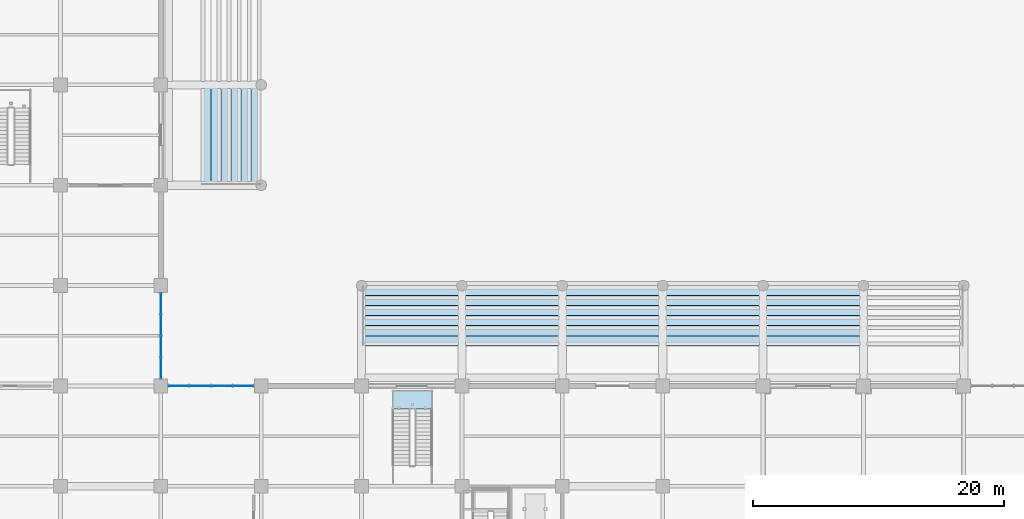
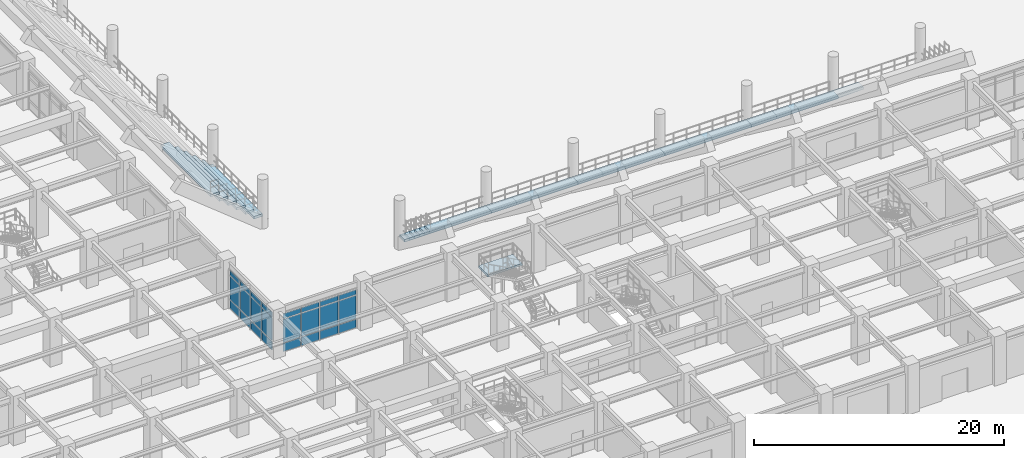
# One storey, part 59 of 125: 37 slabs, 24 plates, 3 elements without a shape of their own.
"""IFC4 building model written with IfcOpenShell, lengths in metres."""

from ifc_helpers import new_model, si_unit, direction, frame, origin, origin_2d, place, context, subcontext, project, spatial, polyline, rectangle, outline, extrude, material, layer, layer_set, type_object, element, aggregate, save


model = new_model("IFC4")

# Units and contexts
model_context = context("Model", 3, precision=1e-05, world=origin(), true_north=direction((0.0, 1.0)))
body_context = subcontext(model_context, "Body", "Model", "MODEL_VIEW")
ifc_project = project(units=[si_unit("LENGTHUNIT", "METRE"), si_unit("AREAUNIT", "SQUARE_METRE"), si_unit("VOLUMEUNIT", "CUBIC_METRE"), si_unit("PLANEANGLEUNIT", "RADIAN"), si_unit("MASSUNIT", "GRAM", prefix="KILO")], contexts=[model_context])

# Site, building, storey
site_placement = place(None, origin())
site = spatial("IfcSite", under=ifc_project, at=site_placement, CompositionType="ELEMENT")
building_placement = place(site_placement, origin())
building = spatial("IfcBuilding", under=site, at=building_placement, Name="Haebicheon Civic Stadium", CompositionType="ELEMENT")
storey_placement = place(building_placement, origin())
storey = spatial("IfcBuildingStorey", under=building, at=storey_placement, Name="L01", CompositionType="ELEMENT", Elevation=0.0)

# Curtain wall, plates
ifc_material_1 = material(Name="Anodised aluminium and laminated glass", Category="aluminium")
ifc_layer_1 = layer(ifc_material_1, 0.179931640625, Name="Anodised aluminium and laminated glass")
ifc_layer_set_1 = layer_set([ifc_layer_1], Name="Anodised aluminium and laminated glass")
curtain_wall_type = type_object("IfcCurtainWallType", Name="CW-6900x3770", PredefinedType="NOTDEFINED", material=ifc_layer_set_1)
curtain_wall_1_placement = place(storey_placement, origin())
curtain_wall_1 = element("IfcCurtainWall", 1, at=curtain_wall_1_placement, inside=storey, type_object=curtain_wall_type, material=ifc_layer_set_1, Name="L01 unitised curtain wall 005", PredefinedType="NOTDEFINED")
ifc_material_2 = material(Name="Double low-e laminated glass", Category="glass")
ifc_layer_2 = layer(ifc_material_2, 0.028076171875, Name="Double low-e laminated glass")
ifc_layer_set_2 = layer_set([ifc_layer_2], Name="Double low-e laminated glass")
plate_type_1 = type_object("IfcPlateType", Name="CWP-GLZ-28", PredefinedType="CURTAIN_PANEL", material=ifc_layer_set_2)
plate_1_placement = place(storey_placement, frame((64.0, 33.431884765625, 0.93994140625), z_axis=(0.0, 0.0, 1.0), x_axis=(0.0, 1.0, 0.0)))
plate_1 = element("IfcPlate", 2, at=plate_1_placement, type_object=plate_type_1, material=ifc_layer_set_2, Name="CW-L01-005 vision panel 1.2", PredefinedType="CURTAIN_PANEL", context=body_context, shape_type="SweptSolid", body=[
    extrude(rectangle(XDim=1.60498046875, YDim=0.028076171875, at=origin_2d()), origin(), (0.0, 0.0, 1.0), 2.239990234375),
])
plate_2_placement = place(storey_placement, frame((64.0, 35.136962890625, 0.93994140625), z_axis=(0.0, 0.0, 1.0), x_axis=(0.0, 1.0, 0.0)))
plate_2 = element("IfcPlate", 3, at=plate_2_placement, type_object=plate_type_1, material=ifc_layer_set_2, Name="CW-L01-005 vision panel 2.2", PredefinedType="CURTAIN_PANEL", context=body_context, shape_type="SweptSolid", body=[
    extrude(rectangle(XDim=1.64501953125, YDim=0.028076171875, at=origin_2d()), origin(), (0.0, 0.0, 1.0), 2.239990234375),
])
plate_3_placement = place(storey_placement, frame((64.0, 36.862060546875, 0.93994140625), z_axis=(0.0, 0.0, 1.0), x_axis=(0.0, 1.0, 0.0)))
plate_3 = element("IfcPlate", 4, at=plate_3_placement, type_object=plate_type_1, material=ifc_layer_set_2, Name="CW-L01-005 vision panel 3.2", PredefinedType="CURTAIN_PANEL", context=body_context, shape_type="SweptSolid", body=[
    extrude(rectangle(XDim=1.64501953125, YDim=0.028076171875, at=origin_2d()), origin(), (0.0, 0.0, 1.0), 2.239990234375),
])
plate_4_placement = place(storey_placement, frame((64.0, 38.568115234375, 0.93994140625), z_axis=(0.0, 0.0, 1.0), x_axis=(0.0, 1.0, 0.0)))
plate_4 = element("IfcPlate", 5, at=plate_4_placement, type_object=plate_type_1, material=ifc_layer_set_2, Name="CW-L01-005 vision panel 4.2", PredefinedType="CURTAIN_PANEL", context=body_context, shape_type="SweptSolid", body=[
    extrude(rectangle(XDim=1.60498046875, YDim=0.028076171875, at=origin_2d()), origin(), (0.0, 0.0, 1.0), 2.239990234375),
])

curtain_wall_2_placement = place(storey_placement, origin())
curtain_wall_2 = element("IfcCurtainWall", 6, at=curtain_wall_2_placement, inside=storey, type_object=curtain_wall_type, material=ifc_layer_set_1, Name="L01 unitised curtain wall 009", PredefinedType="NOTDEFINED")
plate_5_placement = place(storey_placement, frame((65.43310546875, 32.0, 0.93994140625), z_axis=(0.0, 0.0, 1.0), x_axis=(1.0, 0.0, 0.0)))
plate_5 = element("IfcPlate", 7, at=plate_5_placement, type_object=plate_type_1, material=ifc_layer_set_2, Name="CW-L01-009 vision panel 1.2", PredefinedType="CURTAIN_PANEL", context=body_context, shape_type="SweptSolid", body=[
    extrude(rectangle(XDim=1.60498046875, YDim=0.028076171875, at=origin_2d()), origin(), (0.0, 0.0, 1.0), 2.239990234375),
])
plate_6_placement = place(storey_placement, frame((67.137939453125, 32.0, 0.93994140625), z_axis=(0.0, 0.0, 1.0), x_axis=(1.0, 0.0, 0.0)))
plate_6 = element("IfcPlate", 8, at=plate_6_placement, type_object=plate_type_1, material=ifc_layer_set_2, Name="CW-L01-009 vision panel 2.2", PredefinedType="CURTAIN_PANEL", context=body_context, shape_type="SweptSolid", body=[
    extrude(rectangle(XDim=1.64501953125, YDim=0.028076171875, at=origin_2d()), origin(), (0.0, 0.0, 1.0), 2.239990234375),
])
plate_7_placement = place(storey_placement, frame((68.862060546875, 32.0, 0.93994140625), z_axis=(0.0, 0.0, 1.0), x_axis=(1.0, 0.0, 0.0)))
plate_7 = element("IfcPlate", 9, at=plate_7_placement, type_object=plate_type_1, material=ifc_layer_set_2, Name="CW-L01-009 vision panel 3.2", PredefinedType="CURTAIN_PANEL", context=body_context, shape_type="SweptSolid", body=[
    extrude(rectangle(XDim=1.64501953125, YDim=0.028076171875, at=origin_2d()), origin(), (0.0, 0.0, 1.0), 2.239990234375),
])
plate_8_placement = place(storey_placement, frame((70.568115234375, 32.0, 0.93994140625), z_axis=(0.0, 0.0, 1.0), x_axis=(1.0, 0.0, 0.0)))
plate_8 = element("IfcPlate", 10, at=plate_8_placement, type_object=plate_type_1, material=ifc_layer_set_2, Name="CW-L01-009 vision panel 4.2", PredefinedType="CURTAIN_PANEL", context=body_context, shape_type="SweptSolid", body=[
    extrude(rectangle(XDim=1.60498046875, YDim=0.028076171875, at=origin_2d()), origin(), (0.0, 0.0, 1.0), 2.239990234375),
])

# Plate
ifc_material_3 = material(Name="Anodised aluminium 6063-T6", Category="aluminium")
ifc_layer_3 = layer(ifc_material_3, 0.0439453125, Name="Anodised aluminium 6063-T6")
ifc_layer_set_3 = layer_set([ifc_layer_3], Name="Anodised aluminium 6063-T6")
plate_type_2 = type_object("IfcPlateType", Name="CWP-SPD-44", PredefinedType="CURTAIN_PANEL", material=ifc_layer_set_3)
plate_9_placement = place(storey_placement, frame((64.0, 33.431884765625, 0.0400390625), z_axis=(0.0, 0.0, 1.0), x_axis=(0.0, 1.0, 0.0)))
plate_9 = element("IfcPlate", 11, at=plate_9_placement, type_object=plate_type_2, material=ifc_layer_set_3, Name="CW-L01-005 spandrel panel 1.1", PredefinedType="CURTAIN_PANEL", context=body_context, shape_type="SweptSolid", body=[
    extrude(rectangle(XDim=1.60498046875, YDim=0.0439453125, at=origin_2d()), origin(), (0.0, 0.0, 1.0), 0.820068359375),
])

plate_10_placement = place(storey_placement, frame((64.0, 33.431884765625, 3.26025390625), z_axis=(0.0, 0.0, 1.0), x_axis=(0.0, 1.0, 0.0)))
plate_10 = element("IfcPlate", 12, at=plate_10_placement, type_object=plate_type_2, material=ifc_layer_set_3, Name="CW-L01-005 spandrel panel 1.3", PredefinedType="CURTAIN_PANEL", context=body_context, shape_type="SweptSolid", body=[
    extrude(rectangle(XDim=1.60498046875, YDim=0.0439453125, at=origin_2d()), origin(), (0.0, 0.0, 1.0), 0.469970703125),
])

plate_11_placement = place(storey_placement, frame((64.0, 35.136962890625, 0.0400390625), z_axis=(0.0, 0.0, 1.0), x_axis=(0.0, 1.0, 0.0)))
plate_11 = element("IfcPlate", 13, at=plate_11_placement, type_object=plate_type_2, material=ifc_layer_set_3, Name="CW-L01-005 spandrel panel 2.1", PredefinedType="CURTAIN_PANEL", context=body_context, shape_type="SweptSolid", body=[
    extrude(rectangle(XDim=1.64501953125, YDim=0.0439453125, at=origin_2d()), origin(), (0.0, 0.0, 1.0), 0.820068359375),
])

plate_12_placement = place(storey_placement, frame((64.0, 35.136962890625, 3.26025390625), z_axis=(0.0, 0.0, 1.0), x_axis=(0.0, 1.0, 0.0)))
plate_12 = element("IfcPlate", 14, at=plate_12_placement, type_object=plate_type_2, material=ifc_layer_set_3, Name="CW-L01-005 spandrel panel 2.3", PredefinedType="CURTAIN_PANEL", context=body_context, shape_type="SweptSolid", body=[
    extrude(rectangle(XDim=1.64501953125, YDim=0.0439453125, at=origin_2d()), origin(), (0.0, 0.0, 1.0), 0.469970703125),
])

plate_13_placement = place(storey_placement, frame((64.0, 36.862060546875, 0.0400390625), z_axis=(0.0, 0.0, 1.0), x_axis=(0.0, 1.0, 0.0)))
plate_13 = element("IfcPlate", 15, at=plate_13_placement, type_object=plate_type_2, material=ifc_layer_set_3, Name="CW-L01-005 spandrel panel 3.1", PredefinedType="CURTAIN_PANEL", context=body_context, shape_type="SweptSolid", body=[
    extrude(rectangle(XDim=1.64501953125, YDim=0.0439453125, at=origin_2d()), origin(), (0.0, 0.0, 1.0), 0.820068359375),
])

plate_14_placement = place(storey_placement, frame((64.0, 36.862060546875, 3.26025390625), z_axis=(0.0, 0.0, 1.0), x_axis=(0.0, 1.0, 0.0)))
plate_14 = element("IfcPlate", 16, at=plate_14_placement, type_object=plate_type_2, material=ifc_layer_set_3, Name="CW-L01-005 spandrel panel 3.3", PredefinedType="CURTAIN_PANEL", context=body_context, shape_type="SweptSolid", body=[
    extrude(rectangle(XDim=1.64501953125, YDim=0.0439453125, at=origin_2d()), origin(), (0.0, 0.0, 1.0), 0.469970703125),
])

plate_15_placement = place(storey_placement, frame((64.0, 38.568115234375, 0.0400390625), z_axis=(0.0, 0.0, 1.0), x_axis=(0.0, 1.0, 0.0)))
plate_15 = element("IfcPlate", 17, at=plate_15_placement, type_object=plate_type_2, material=ifc_layer_set_3, Name="CW-L01-005 spandrel panel 4.1", PredefinedType="CURTAIN_PANEL", context=body_context, shape_type="SweptSolid", body=[
    extrude(rectangle(XDim=1.60498046875, YDim=0.0439453125, at=origin_2d()), origin(), (0.0, 0.0, 1.0), 0.820068359375),
])

plate_16_placement = place(storey_placement, frame((64.0, 38.568115234375, 3.26025390625), z_axis=(0.0, 0.0, 1.0), x_axis=(0.0, 1.0, 0.0)))
plate_16 = element("IfcPlate", 18, at=plate_16_placement, type_object=plate_type_2, material=ifc_layer_set_3, Name="CW-L01-005 spandrel panel 4.3", PredefinedType="CURTAIN_PANEL", context=body_context, shape_type="SweptSolid", body=[
    extrude(rectangle(XDim=1.60498046875, YDim=0.0439453125, at=origin_2d()), origin(), (0.0, 0.0, 1.0), 0.469970703125),
])

aggregate(curtain_wall_1, [plate_9, plate_1, plate_10, plate_11, plate_2, plate_12, plate_13, plate_3, plate_14, plate_15, plate_4, plate_16])

plate_17_placement = place(storey_placement, frame((65.43310546875, 32.0, 0.0400390625), z_axis=(0.0, 0.0, 1.0), x_axis=(1.0, 0.0, 0.0)))
plate_17 = element("IfcPlate", 19, at=plate_17_placement, type_object=plate_type_2, material=ifc_layer_set_3, Name="CW-L01-009 spandrel panel 1.1", PredefinedType="CURTAIN_PANEL", context=body_context, shape_type="SweptSolid", body=[
    extrude(rectangle(XDim=1.60498046875, YDim=0.0439453125, at=origin_2d()), origin(), (0.0, 0.0, 1.0), 0.820068359375),
])

plate_18_placement = place(storey_placement, frame((65.43310546875, 32.0, 3.26025390625), z_axis=(0.0, 0.0, 1.0), x_axis=(1.0, 0.0, 0.0)))
plate_18 = element("IfcPlate", 20, at=plate_18_placement, type_object=plate_type_2, material=ifc_layer_set_3, Name="CW-L01-009 spandrel panel 1.3", PredefinedType="CURTAIN_PANEL", context=body_context, shape_type="SweptSolid", body=[
    extrude(rectangle(XDim=1.60498046875, YDim=0.0439453125, at=origin_2d()), origin(), (0.0, 0.0, 1.0), 0.469970703125),
])

plate_19_placement = place(storey_placement, frame((67.137939453125, 32.0, 0.0400390625), z_axis=(0.0, 0.0, 1.0), x_axis=(1.0, 0.0, 0.0)))
plate_19 = element("IfcPlate", 21, at=plate_19_placement, type_object=plate_type_2, material=ifc_layer_set_3, Name="CW-L01-009 spandrel panel 2.1", PredefinedType="CURTAIN_PANEL", context=body_context, shape_type="SweptSolid", body=[
    extrude(rectangle(XDim=1.64501953125, YDim=0.0439453125, at=origin_2d()), origin(), (0.0, 0.0, 1.0), 0.820068359375),
])

plate_20_placement = place(storey_placement, frame((67.137939453125, 32.0, 3.26025390625), z_axis=(0.0, 0.0, 1.0), x_axis=(1.0, 0.0, 0.0)))
plate_20 = element("IfcPlate", 22, at=plate_20_placement, type_object=plate_type_2, material=ifc_layer_set_3, Name="CW-L01-009 spandrel panel 2.3", PredefinedType="CURTAIN_PANEL", context=body_context, shape_type="SweptSolid", body=[
    extrude(rectangle(XDim=1.64501953125, YDim=0.0439453125, at=origin_2d()), origin(), (0.0, 0.0, 1.0), 0.469970703125),
])

plate_21_placement = place(storey_placement, frame((68.862060546875, 32.0, 0.0400390625), z_axis=(0.0, 0.0, 1.0), x_axis=(1.0, 0.0, 0.0)))
plate_21 = element("IfcPlate", 23, at=plate_21_placement, type_object=plate_type_2, material=ifc_layer_set_3, Name="CW-L01-009 spandrel panel 3.1", PredefinedType="CURTAIN_PANEL", context=body_context, shape_type="SweptSolid", body=[
    extrude(rectangle(XDim=1.64501953125, YDim=0.0439453125, at=origin_2d()), origin(), (0.0, 0.0, 1.0), 0.820068359375),
])

plate_22_placement = place(storey_placement, frame((68.862060546875, 32.0, 3.26025390625), z_axis=(0.0, 0.0, 1.0), x_axis=(1.0, 0.0, 0.0)))
plate_22 = element("IfcPlate", 24, at=plate_22_placement, type_object=plate_type_2, material=ifc_layer_set_3, Name="CW-L01-009 spandrel panel 3.3", PredefinedType="CURTAIN_PANEL", context=body_context, shape_type="SweptSolid", body=[
    extrude(rectangle(XDim=1.64501953125, YDim=0.0439453125, at=origin_2d()), origin(), (0.0, 0.0, 1.0), 0.469970703125),
])

plate_23_placement = place(storey_placement, frame((70.568115234375, 32.0, 0.0400390625), z_axis=(0.0, 0.0, 1.0), x_axis=(1.0, 0.0, 0.0)))
plate_23 = element("IfcPlate", 25, at=plate_23_placement, type_object=plate_type_2, material=ifc_layer_set_3, Name="CW-L01-009 spandrel panel 4.1", PredefinedType="CURTAIN_PANEL", context=body_context, shape_type="SweptSolid", body=[
    extrude(rectangle(XDim=1.60498046875, YDim=0.0439453125, at=origin_2d()), origin(), (0.0, 0.0, 1.0), 0.820068359375),
])

plate_24_placement = place(storey_placement, frame((70.568115234375, 32.0, 3.26025390625), z_axis=(0.0, 0.0, 1.0), x_axis=(1.0, 0.0, 0.0)))
plate_24 = element("IfcPlate", 26, at=plate_24_placement, type_object=plate_type_2, material=ifc_layer_set_3, Name="CW-L01-009 spandrel panel 4.3", PredefinedType="CURTAIN_PANEL", context=body_context, shape_type="SweptSolid", body=[
    extrude(rectangle(XDim=1.60498046875, YDim=0.0439453125, at=origin_2d()), origin(), (0.0, 0.0, 1.0), 0.469970703125),
])

aggregate(curtain_wall_2, [plate_17, plate_5, plate_18, plate_19, plate_6, plate_20, plate_21, plate_7, plate_22, plate_23, plate_8, plate_24])

# Stair, slab
ifc_material_4 = material(Name="Concrete C40/50", Category="concrete")
stair_type = type_object("IfcStairType", Name="STR-DL-W140-H48", PredefinedType="HALF_TURN_STAIR", material=ifc_material_4)
stair_placement = place(storey_placement, origin())
stair = element("IfcStair", 27, at=stair_placement, inside=storey, type_object=stair_type, material=ifc_material_4, Name="Vomitory stair VM-10 (L01)", PredefinedType="HALF_TURN_STAIR")
ifc_material_5 = material(Name="Concrete C40/50", Category="concrete")
ifc_layer_4 = layer(ifc_material_5, 0.199951171875, Name="Concrete C40/50")
ifc_layer_set_4 = layer_set([ifc_layer_4], Name="Concrete C40/50")
slab_type_1 = type_object("IfcSlabType", Name="SLB-LND-200", PredefinedType="LANDING", material=ifc_layer_set_4)
slab_1_placement = place(storey_placement, frame((0.0, 0.0, 2.199951171875)))
slab_1 = element("IfcSlab", 28, at=slab_1_placement, type_object=slab_type_1, material=ifc_layer_set_4, Name="VM-10 landing 1", PredefinedType="LANDING", context=body_context, shape_type="SweptSolid", body=[
    extrude(outline(polyline([(85.639892578125, 30.14990234375), (85.639892578125, 31.64990234375), (82.4599609375, 31.64990234375), (82.4599609375, 30.14990234375), (85.639892578125, 30.14990234375)])), origin(), (0.0, 0.0, 1.0), 0.199951171875),
])
aggregate(stair, [slab_1])

# Slabs
ifc_material_6 = material(Name="Precast concrete C40/50", Category="concrete")
ifc_layer_5 = layer(ifc_material_6, 0.239990234375, Name="Precast concrete C40/50")
ifc_layer_set_5 = layer_set([ifc_layer_5], Name="Precast concrete C40/50")
slab_type_2 = type_object("IfcSlabType", Name="SLB-TIER-240", PredefinedType="USERDEFINED", material=ifc_layer_set_5)
slab_2_placement = place(storey_placement, frame((0.0, 0.0, 0.9599609375)))
element("IfcSlab", 29, at=slab_2_placement, inside=storey, type_object=slab_type_2, material=ifc_layer_set_5, Name="TIER-W-L precast seating tier bay 1 row-band 1", ObjectType="SEATING TIER", PredefinedType="USERDEFINED", context=body_context, shape_type="SweptSolid", body=[
    extrude(outline(polyline([(71.199951171875, 48.0), (72.0, 48.0), (72.0, 56.0), (71.199951171875, 56.0), (71.199951171875, 48.0)])), origin(), (0.0, 0.0, 1.0), 0.239990234375),
])
slab_3_placement = place(storey_placement, frame((0.0, 0.0, 1.6708984375)))
element("IfcSlab", 30, at=slab_3_placement, inside=storey, type_object=slab_type_2, material=ifc_layer_set_5, Name="TIER-W-L precast seating tier bay 1 row-band 2", ObjectType="SEATING TIER", PredefinedType="USERDEFINED", context=body_context, shape_type="SweptSolid", body=[
    extrude(outline(polyline([(70.39990234375, 48.0), (71.199951171875, 48.0), (71.199951171875, 56.0), (70.39990234375, 56.0), (70.39990234375, 48.0)])), origin(), (0.0, 0.0, 1.0), 0.239990234375),
])
slab_4_placement = place(storey_placement, frame((0.0, 0.0, 2.382080078125)))
element("IfcSlab", 31, at=slab_4_placement, inside=storey, type_object=slab_type_2, material=ifc_layer_set_5, Name="TIER-W-L precast seating tier bay 1 row-band 3", ObjectType="SEATING TIER", PredefinedType="USERDEFINED", context=body_context, shape_type="SweptSolid", body=[
    extrude(outline(polyline([(69.60009765625, 48.0), (70.39990234375, 48.0), (70.39990234375, 56.0), (69.60009765625, 56.0), (69.60009765625, 48.0)])), origin(), (0.0, 0.0, 1.0), 0.239990234375),
])
slab_5_placement = place(storey_placement, frame((0.0, 0.0, 3.093017578125)))
element("IfcSlab", 32, at=slab_5_placement, inside=storey, type_object=slab_type_2, material=ifc_layer_set_5, Name="TIER-W-L precast seating tier bay 1 row-band 4", ObjectType="SEATING TIER", PredefinedType="USERDEFINED", context=body_context, shape_type="SweptSolid", body=[
    extrude(outline(polyline([(68.800048828125, 48.0), (69.60009765625, 48.0), (69.60009765625, 56.0), (68.800048828125, 56.0), (68.800048828125, 48.0)])), origin(), (0.0, 0.0, 1.0), 0.239990234375),
])
slab_6_placement = place(storey_placement, frame((0.0, 0.0, 3.803955078125)))
element("IfcSlab", 33, at=slab_6_placement, inside=storey, type_object=slab_type_2, material=ifc_layer_set_5, Name="TIER-W-L precast seating tier bay 1 row-band 5", ObjectType="SEATING TIER", PredefinedType="USERDEFINED", context=body_context, shape_type="SweptSolid", body=[
    extrude(outline(polyline([(68.0, 48.0), (68.800048828125, 48.0), (68.800048828125, 56.0), (68.0, 56.0), (68.0, 48.0)])), origin(), (0.0, 0.0, 1.0), 0.239990234375),
])
slab_7_placement = place(storey_placement, frame((0.0, 0.0, 4.51611328125)))
element("IfcSlab", 34, at=slab_7_placement, inside=storey, type_object=slab_type_2, material=ifc_layer_set_5, Name="TIER-W-L precast seating tier bay 1 row-band 6", ObjectType="SEATING TIER", PredefinedType="USERDEFINED", context=body_context, shape_type="SweptSolid", body=[
    extrude(outline(polyline([(67.199951171875, 48.0), (68.0, 48.0), (68.0, 56.0), (67.199951171875, 56.0), (67.199951171875, 48.0)])), origin(), (0.0, 0.0, 1.0), 0.239990234375),
])
slab_8_placement = place(storey_placement, frame((0.0, 0.0, 0.9599609375)))
element("IfcSlab", 35, at=slab_8_placement, inside=storey, type_object=slab_type_2, material=ifc_layer_set_5, Name="TIER-S-L precast seating tier bay 1 row-band 1", ObjectType="SEATING TIER", PredefinedType="USERDEFINED", context=body_context, shape_type="SweptSolid", body=[
    extrude(outline(polyline([(80.0, 39.199951171875), (88.0, 39.199951171875), (88.0, 40.0), (80.0, 40.0), (80.0, 39.199951171875)])), origin(), (0.0, 0.0, 1.0), 0.239990234375),
])
slab_9_placement = place(storey_placement, frame((0.0, 0.0, 1.626953125)))
element("IfcSlab", 36, at=slab_9_placement, inside=storey, type_object=slab_type_2, material=ifc_layer_set_5, Name="TIER-S-L precast seating tier bay 1 row-band 2", ObjectType="SEATING TIER", PredefinedType="USERDEFINED", context=body_context, shape_type="SweptSolid", body=[
    extrude(outline(polyline([(80.0, 38.39990234375), (88.0, 38.39990234375), (88.0, 39.199951171875), (80.0, 39.199951171875), (80.0, 38.39990234375)])), origin(), (0.0, 0.0, 1.0), 0.239990234375),
])
slab_10_placement = place(storey_placement, frame((0.0, 0.0, 2.29296875)))
element("IfcSlab", 37, at=slab_10_placement, inside=storey, type_object=slab_type_2, material=ifc_layer_set_5, Name="TIER-S-L precast seating tier bay 1 row-band 3", ObjectType="SEATING TIER", PredefinedType="USERDEFINED", context=body_context, shape_type="SweptSolid", body=[
    extrude(outline(polyline([(80.0, 37.60009765625), (88.0, 37.60009765625), (88.0, 38.39990234375), (80.0, 38.39990234375), (80.0, 37.60009765625)])), origin(), (0.0, 0.0, 1.0), 0.239990234375),
])
slab_11_placement = place(storey_placement, frame((0.0, 0.0, 2.9599609375)))
element("IfcSlab", 38, at=slab_11_placement, inside=storey, type_object=slab_type_2, material=ifc_layer_set_5, Name="TIER-S-L precast seating tier bay 1 row-band 4", ObjectType="SEATING TIER", PredefinedType="USERDEFINED", context=body_context, shape_type="SweptSolid", body=[
    extrude(outline(polyline([(80.0, 36.800048828125), (88.0, 36.800048828125), (88.0, 37.60009765625), (80.0, 37.60009765625), (80.0, 36.800048828125)])), origin(), (0.0, 0.0, 1.0), 0.239990234375),
])
slab_12_placement = place(storey_placement, frame((0.0, 0.0, 3.626953125)))
element("IfcSlab", 39, at=slab_12_placement, inside=storey, type_object=slab_type_2, material=ifc_layer_set_5, Name="TIER-S-L precast seating tier bay 1 row-band 5", ObjectType="SEATING TIER", PredefinedType="USERDEFINED", context=body_context, shape_type="SweptSolid", body=[
    extrude(outline(polyline([(80.0, 36.0), (88.0, 36.0), (88.0, 36.800048828125), (80.0, 36.800048828125), (80.0, 36.0)])), origin(), (0.0, 0.0, 1.0), 0.239990234375),
])
slab_13_placement = place(storey_placement, frame((0.0, 0.0, 4.29296875)))
element("IfcSlab", 40, at=slab_13_placement, inside=storey, type_object=slab_type_2, material=ifc_layer_set_5, Name="TIER-S-L precast seating tier bay 1 row-band 6", ObjectType="SEATING TIER", PredefinedType="USERDEFINED", context=body_context, shape_type="SweptSolid", body=[
    extrude(outline(polyline([(80.0, 35.199951171875), (88.0, 35.199951171875), (88.0, 36.0), (80.0, 36.0), (80.0, 35.199951171875)])), origin(), (0.0, 0.0, 1.0), 0.239990234375),
])
slab_14_placement = place(storey_placement, frame((0.0, 0.0, 0.9599609375)))
element("IfcSlab", 41, at=slab_14_placement, inside=storey, type_object=slab_type_2, material=ifc_layer_set_5, Name="TIER-S-L precast seating tier bay 2 row-band 1", ObjectType="SEATING TIER", PredefinedType="USERDEFINED", context=body_context, shape_type="SweptSolid", body=[
    extrude(outline(polyline([(88.0, 39.199951171875), (96.0, 39.199951171875), (96.0, 40.0), (88.0, 40.0), (88.0, 39.199951171875)])), origin(), (0.0, 0.0, 1.0), 0.239990234375),
])
slab_15_placement = place(storey_placement, frame((0.0, 0.0, 1.626953125)))
element("IfcSlab", 42, at=slab_15_placement, inside=storey, type_object=slab_type_2, material=ifc_layer_set_5, Name="TIER-S-L precast seating tier bay 2 row-band 2", ObjectType="SEATING TIER", PredefinedType="USERDEFINED", context=body_context, shape_type="SweptSolid", body=[
    extrude(outline(polyline([(88.0, 38.39990234375), (96.0, 38.39990234375), (96.0, 39.199951171875), (88.0, 39.199951171875), (88.0, 38.39990234375)])), origin(), (0.0, 0.0, 1.0), 0.239990234375),
])
slab_16_placement = place(storey_placement, frame((0.0, 0.0, 2.29296875)))
element("IfcSlab", 43, at=slab_16_placement, inside=storey, type_object=slab_type_2, material=ifc_layer_set_5, Name="TIER-S-L precast seating tier bay 2 row-band 3", ObjectType="SEATING TIER", PredefinedType="USERDEFINED", context=body_context, shape_type="SweptSolid", body=[
    extrude(outline(polyline([(88.0, 37.60009765625), (96.0, 37.60009765625), (96.0, 38.39990234375), (88.0, 38.39990234375), (88.0, 37.60009765625)])), origin(), (0.0, 0.0, 1.0), 0.239990234375),
])
slab_17_placement = place(storey_placement, frame((0.0, 0.0, 2.9599609375)))
element("IfcSlab", 44, at=slab_17_placement, inside=storey, type_object=slab_type_2, material=ifc_layer_set_5, Name="TIER-S-L precast seating tier bay 2 row-band 4", ObjectType="SEATING TIER", PredefinedType="USERDEFINED", context=body_context, shape_type="SweptSolid", body=[
    extrude(outline(polyline([(88.0, 36.800048828125), (96.0, 36.800048828125), (96.0, 37.60009765625), (88.0, 37.60009765625), (88.0, 36.800048828125)])), origin(), (0.0, 0.0, 1.0), 0.239990234375),
])
slab_18_placement = place(storey_placement, frame((0.0, 0.0, 3.626953125)))
element("IfcSlab", 45, at=slab_18_placement, inside=storey, type_object=slab_type_2, material=ifc_layer_set_5, Name="TIER-S-L precast seating tier bay 2 row-band 5", ObjectType="SEATING TIER", PredefinedType="USERDEFINED", context=body_context, shape_type="SweptSolid", body=[
    extrude(outline(polyline([(88.0, 36.0), (96.0, 36.0), (96.0, 36.800048828125), (88.0, 36.800048828125), (88.0, 36.0)])), origin(), (0.0, 0.0, 1.0), 0.239990234375),
])
slab_19_placement = place(storey_placement, frame((0.0, 0.0, 4.29296875)))
element("IfcSlab", 46, at=slab_19_placement, inside=storey, type_object=slab_type_2, material=ifc_layer_set_5, Name="TIER-S-L precast seating tier bay 2 row-band 6", ObjectType="SEATING TIER", PredefinedType="USERDEFINED", context=body_context, shape_type="SweptSolid", body=[
    extrude(outline(polyline([(88.0, 35.199951171875), (96.0, 35.199951171875), (96.0, 36.0), (88.0, 36.0), (88.0, 35.199951171875)])), origin(), (0.0, 0.0, 1.0), 0.239990234375),
])
slab_20_placement = place(storey_placement, frame((0.0, 0.0, 0.9599609375)))
element("IfcSlab", 47, at=slab_20_placement, inside=storey, type_object=slab_type_2, material=ifc_layer_set_5, Name="TIER-S-L precast seating tier bay 3 row-band 1", ObjectType="SEATING TIER", PredefinedType="USERDEFINED", context=body_context, shape_type="SweptSolid", body=[
    extrude(outline(polyline([(96.0, 39.199951171875), (104.0, 39.199951171875), (104.0, 40.0), (96.0, 40.0), (96.0, 39.199951171875)])), origin(), (0.0, 0.0, 1.0), 0.239990234375),
])
slab_21_placement = place(storey_placement, frame((0.0, 0.0, 1.626953125)))
element("IfcSlab", 48, at=slab_21_placement, inside=storey, type_object=slab_type_2, material=ifc_layer_set_5, Name="TIER-S-L precast seating tier bay 3 row-band 2", ObjectType="SEATING TIER", PredefinedType="USERDEFINED", context=body_context, shape_type="SweptSolid", body=[
    extrude(outline(polyline([(96.0, 38.39990234375), (104.0, 38.39990234375), (104.0, 39.199951171875), (96.0, 39.199951171875), (96.0, 38.39990234375)])), origin(), (0.0, 0.0, 1.0), 0.239990234375),
])
slab_22_placement = place(storey_placement, frame((0.0, 0.0, 2.29296875)))
element("IfcSlab", 49, at=slab_22_placement, inside=storey, type_object=slab_type_2, material=ifc_layer_set_5, Name="TIER-S-L precast seating tier bay 3 row-band 3", ObjectType="SEATING TIER", PredefinedType="USERDEFINED", context=body_context, shape_type="SweptSolid", body=[
    extrude(outline(polyline([(96.0, 37.60009765625), (104.0, 37.60009765625), (104.0, 38.39990234375), (96.0, 38.39990234375), (96.0, 37.60009765625)])), origin(), (0.0, 0.0, 1.0), 0.239990234375),
])
slab_23_placement = place(storey_placement, frame((0.0, 0.0, 2.9599609375)))
element("IfcSlab", 50, at=slab_23_placement, inside=storey, type_object=slab_type_2, material=ifc_layer_set_5, Name="TIER-S-L precast seating tier bay 3 row-band 4", ObjectType="SEATING TIER", PredefinedType="USERDEFINED", context=body_context, shape_type="SweptSolid", body=[
    extrude(outline(polyline([(96.0, 36.800048828125), (104.0, 36.800048828125), (104.0, 37.60009765625), (96.0, 37.60009765625), (96.0, 36.800048828125)])), origin(), (0.0, 0.0, 1.0), 0.239990234375),
])
slab_24_placement = place(storey_placement, frame((0.0, 0.0, 3.626953125)))
element("IfcSlab", 51, at=slab_24_placement, inside=storey, type_object=slab_type_2, material=ifc_layer_set_5, Name="TIER-S-L precast seating tier bay 3 row-band 5", ObjectType="SEATING TIER", PredefinedType="USERDEFINED", context=body_context, shape_type="SweptSolid", body=[
    extrude(outline(polyline([(96.0, 36.0), (104.0, 36.0), (104.0, 36.800048828125), (96.0, 36.800048828125), (96.0, 36.0)])), origin(), (0.0, 0.0, 1.0), 0.239990234375),
])
slab_25_placement = place(storey_placement, frame((0.0, 0.0, 4.29296875)))
element("IfcSlab", 52, at=slab_25_placement, inside=storey, type_object=slab_type_2, material=ifc_layer_set_5, Name="TIER-S-L precast seating tier bay 3 row-band 6", ObjectType="SEATING TIER", PredefinedType="USERDEFINED", context=body_context, shape_type="SweptSolid", body=[
    extrude(outline(polyline([(96.0, 35.199951171875), (104.0, 35.199951171875), (104.0, 36.0), (96.0, 36.0), (96.0, 35.199951171875)])), origin(), (0.0, 0.0, 1.0), 0.239990234375),
])
slab_26_placement = place(storey_placement, frame((0.0, 0.0, 0.9599609375)))
element("IfcSlab", 53, at=slab_26_placement, inside=storey, type_object=slab_type_2, material=ifc_layer_set_5, Name="TIER-S-L precast seating tier bay 4 row-band 1", ObjectType="SEATING TIER", PredefinedType="USERDEFINED", context=body_context, shape_type="SweptSolid", body=[
    extrude(outline(polyline([(104.0, 39.199951171875), (112.0, 39.199951171875), (112.0, 40.0), (104.0, 40.0), (104.0, 39.199951171875)])), origin(), (0.0, 0.0, 1.0), 0.239990234375),
])
slab_27_placement = place(storey_placement, frame((0.0, 0.0, 1.626953125)))
element("IfcSlab", 54, at=slab_27_placement, inside=storey, type_object=slab_type_2, material=ifc_layer_set_5, Name="TIER-S-L precast seating tier bay 4 row-band 2", ObjectType="SEATING TIER", PredefinedType="USERDEFINED", context=body_context, shape_type="SweptSolid", body=[
    extrude(outline(polyline([(104.0, 38.39990234375), (112.0, 38.39990234375), (112.0, 39.199951171875), (104.0, 39.199951171875), (104.0, 38.39990234375)])), origin(), (0.0, 0.0, 1.0), 0.239990234375),
])
slab_28_placement = place(storey_placement, frame((0.0, 0.0, 2.29296875)))
element("IfcSlab", 55, at=slab_28_placement, inside=storey, type_object=slab_type_2, material=ifc_layer_set_5, Name="TIER-S-L precast seating tier bay 4 row-band 3", ObjectType="SEATING TIER", PredefinedType="USERDEFINED", context=body_context, shape_type="SweptSolid", body=[
    extrude(outline(polyline([(104.0, 37.60009765625), (112.0, 37.60009765625), (112.0, 38.39990234375), (104.0, 38.39990234375), (104.0, 37.60009765625)])), origin(), (0.0, 0.0, 1.0), 0.239990234375),
])
slab_29_placement = place(storey_placement, frame((0.0, 0.0, 2.9599609375)))
element("IfcSlab", 56, at=slab_29_placement, inside=storey, type_object=slab_type_2, material=ifc_layer_set_5, Name="TIER-S-L precast seating tier bay 4 row-band 4", ObjectType="SEATING TIER", PredefinedType="USERDEFINED", context=body_context, shape_type="SweptSolid", body=[
    extrude(outline(polyline([(104.0, 36.800048828125), (112.0, 36.800048828125), (112.0, 37.60009765625), (104.0, 37.60009765625), (104.0, 36.800048828125)])), origin(), (0.0, 0.0, 1.0), 0.239990234375),
])
slab_30_placement = place(storey_placement, frame((0.0, 0.0, 3.626953125)))
element("IfcSlab", 57, at=slab_30_placement, inside=storey, type_object=slab_type_2, material=ifc_layer_set_5, Name="TIER-S-L precast seating tier bay 4 row-band 5", ObjectType="SEATING TIER", PredefinedType="USERDEFINED", context=body_context, shape_type="SweptSolid", body=[
    extrude(outline(polyline([(104.0, 36.0), (112.0, 36.0), (112.0, 36.800048828125), (104.0, 36.800048828125), (104.0, 36.0)])), origin(), (0.0, 0.0, 1.0), 0.239990234375),
])
slab_31_placement = place(storey_placement, frame((0.0, 0.0, 4.29296875)))
element("IfcSlab", 58, at=slab_31_placement, inside=storey, type_object=slab_type_2, material=ifc_layer_set_5, Name="TIER-S-L precast seating tier bay 4 row-band 6", ObjectType="SEATING TIER", PredefinedType="USERDEFINED", context=body_context, shape_type="SweptSolid", body=[
    extrude(outline(polyline([(104.0, 35.199951171875), (112.0, 35.199951171875), (112.0, 36.0), (104.0, 36.0), (104.0, 35.199951171875)])), origin(), (0.0, 0.0, 1.0), 0.239990234375),
])
slab_32_placement = place(storey_placement, frame((0.0, 0.0, 0.9599609375)))
element("IfcSlab", 59, at=slab_32_placement, inside=storey, type_object=slab_type_2, material=ifc_layer_set_5, Name="TIER-S-L precast seating tier bay 5 row-band 1", ObjectType="SEATING TIER", PredefinedType="USERDEFINED", context=body_context, shape_type="SweptSolid", body=[
    extrude(outline(polyline([(112.0, 39.199951171875), (120.0, 39.199951171875), (120.0, 40.0), (112.0, 40.0), (112.0, 39.199951171875)])), origin(), (0.0, 0.0, 1.0), 0.239990234375),
])
slab_33_placement = place(storey_placement, frame((0.0, 0.0, 1.626953125)))
element("IfcSlab", 60, at=slab_33_placement, inside=storey, type_object=slab_type_2, material=ifc_layer_set_5, Name="TIER-S-L precast seating tier bay 5 row-band 2", ObjectType="SEATING TIER", PredefinedType="USERDEFINED", context=body_context, shape_type="SweptSolid", body=[
    extrude(outline(polyline([(112.0, 38.39990234375), (120.0, 38.39990234375), (120.0, 39.199951171875), (112.0, 39.199951171875), (112.0, 38.39990234375)])), origin(), (0.0, 0.0, 1.0), 0.239990234375),
])
slab_34_placement = place(storey_placement, frame((0.0, 0.0, 2.29296875)))
element("IfcSlab", 61, at=slab_34_placement, inside=storey, type_object=slab_type_2, material=ifc_layer_set_5, Name="TIER-S-L precast seating tier bay 5 row-band 3", ObjectType="SEATING TIER", PredefinedType="USERDEFINED", context=body_context, shape_type="SweptSolid", body=[
    extrude(outline(polyline([(112.0, 37.60009765625), (120.0, 37.60009765625), (120.0, 38.39990234375), (112.0, 38.39990234375), (112.0, 37.60009765625)])), origin(), (0.0, 0.0, 1.0), 0.239990234375),
])
slab_35_placement = place(storey_placement, frame((0.0, 0.0, 2.9599609375)))
element("IfcSlab", 62, at=slab_35_placement, inside=storey, type_object=slab_type_2, material=ifc_layer_set_5, Name="TIER-S-L precast seating tier bay 5 row-band 4", ObjectType="SEATING TIER", PredefinedType="USERDEFINED", context=body_context, shape_type="SweptSolid", body=[
    extrude(outline(polyline([(112.0, 36.800048828125), (120.0, 36.800048828125), (120.0, 37.60009765625), (112.0, 37.60009765625), (112.0, 36.800048828125)])), origin(), (0.0, 0.0, 1.0), 0.239990234375),
])
slab_36_placement = place(storey_placement, frame((0.0, 0.0, 3.626953125)))
element("IfcSlab", 63, at=slab_36_placement, inside=storey, type_object=slab_type_2, material=ifc_layer_set_5, Name="TIER-S-L precast seating tier bay 5 row-band 5", ObjectType="SEATING TIER", PredefinedType="USERDEFINED", context=body_context, shape_type="SweptSolid", body=[
    extrude(outline(polyline([(112.0, 36.0), (120.0, 36.0), (120.0, 36.800048828125), (112.0, 36.800048828125), (112.0, 36.0)])), origin(), (0.0, 0.0, 1.0), 0.239990234375),
])
slab_37_placement = place(storey_placement, frame((0.0, 0.0, 4.29296875)))
element("IfcSlab", 64, at=slab_37_placement, inside=storey, type_object=slab_type_2, material=ifc_layer_set_5, Name="TIER-S-L precast seating tier bay 5 row-band 6", ObjectType="SEATING TIER", PredefinedType="USERDEFINED", context=body_context, shape_type="SweptSolid", body=[
    extrude(outline(polyline([(112.0, 35.199951171875), (120.0, 35.199951171875), (120.0, 36.0), (112.0, 36.0), (112.0, 35.199951171875)])), origin(), (0.0, 0.0, 1.0), 0.239990234375),
])

save(model, "model.ifc")
